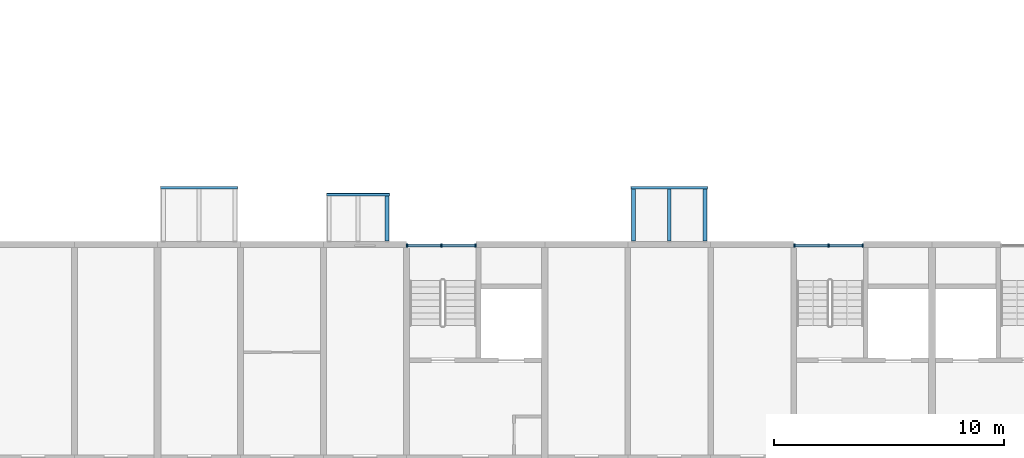
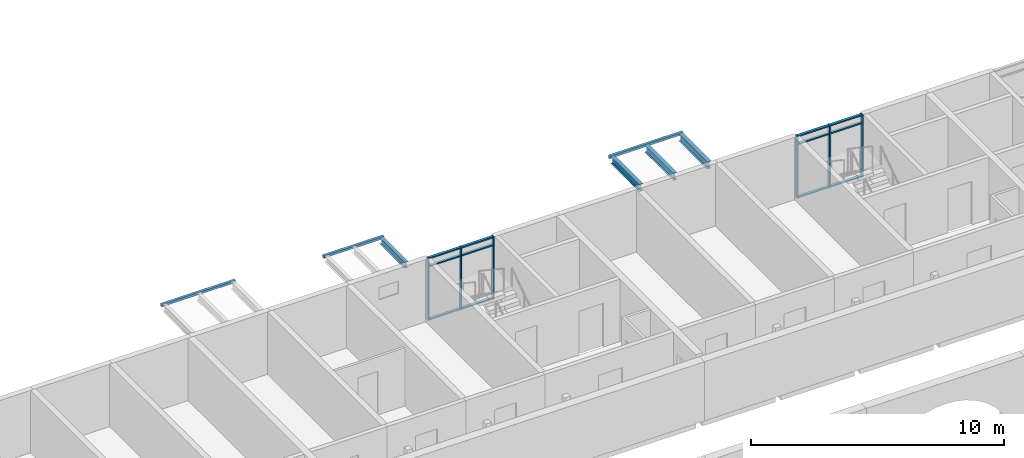
# One storey, part 13 of 122: 18 members, 7 beams, 2 elements without a shape of their own.
"""IFC4 building model written with IfcOpenShell, lengths in metres."""

from ifc_helpers import new_model, si_unit, direction, frame, origin, origin_2d, place, context, subcontext, project, spatial, rectangle, hollow_rectangle, i_section, extrude, material, material_profile, profile_set, type_object, element, aggregate, save


model = new_model("IFC4")

# Units and contexts
model_context = context("Model", 3, precision=1e-05, world=origin(), true_north=direction((0.0, 1.0)))
body_context = subcontext(model_context, "Body", "Model", "MODEL_VIEW")
ifc_project = project(units=[si_unit("LENGTHUNIT", "METRE"), si_unit("AREAUNIT", "SQUARE_METRE"), si_unit("VOLUMEUNIT", "CUBIC_METRE"), si_unit("PLANEANGLEUNIT", "RADIAN"), si_unit("MASSUNIT", "GRAM", prefix="KILO")], contexts=[model_context])

# Site, building, storey
site_placement = place(None, origin())
site = spatial("IfcSite", under=ifc_project, at=site_placement, CompositionType="ELEMENT")
building_placement = place(site_placement, origin())
building = spatial("IfcBuilding", under=site, at=building_placement, Name="Ridgestep Commons", CompositionType="ELEMENT")
storey_placement = place(building_placement, frame((0.0, 0.0, 3.0)))
storey = spatial("IfcBuildingStorey", under=building, at=storey_placement, Name="L01", CompositionType="ELEMENT", Elevation=3.0)

# Curtain wall, members
ifc_material_1 = material(Name="Aluminium 6063-T6 and glass", Category="aluminium")
curtain_wall_type = type_object("IfcCurtainWallType", Name="Curtain wall stair strip", PredefinedType="NOTDEFINED", material=ifc_material_1)
curtain_wall_1_placement = place(storey_placement, origin())
curtain_wall_1 = element("IfcCurtainWall", 1, at=curtain_wall_1_placement, inside=storey, type_object=curtain_wall_type, Name="Curtain wall A4C level 01", PredefinedType="NOTDEFINED")
ifc_material_2 = material(Name="Aluminium 6063-T6", Category="aluminium")
ifc_material_profile_1 = material_profile(ifc_material_2, rectangle(XDim=0.159912109375, YDim=0.06005859375, at=origin_2d()), Name="Mullion 60 x 160")
ifc_profile_set_1 = profile_set([ifc_material_profile_1], Name="Aluminium 6063-T6")
member_type_1 = type_object("IfcMemberType", Name="Mullion 60 x 160", PredefinedType="MULLION", material=ifc_profile_set_1)
member_1_placement = place(storey_placement, frame((73.22998046875, 22.830078125, 0.0), z_axis=(0.0, 0.0, 1.0), x_axis=(0.0, 1.0, 0.0)))
member_1 = element("IfcMember", 2, at=member_1_placement, type_object=member_type_1, Name="CW1 mullion 1", PredefinedType="MULLION", context=body_context, shape_type="SweptSolid", body=[
    extrude(rectangle(XDim=0.159912109375, YDim=0.06005859375, at=origin_2d()), origin(), (0.0, 0.0, 1.0), 3.0),
])
member_2_placement = place(storey_placement, frame((74.71240234375, 22.830078125, 0.0), z_axis=(0.0, 0.0, 1.0), x_axis=(0.0, 1.0, 0.0)))
member_2 = element("IfcMember", 3, at=member_2_placement, type_object=member_type_1, Name="CW1 mullion 2", PredefinedType="MULLION", context=body_context, shape_type="SweptSolid", body=[
    extrude(rectangle(XDim=0.159912109375, YDim=0.06005859375, at=origin_2d()), origin(), (0.0, 0.0, 1.0), 3.0),
])
member_3_placement = place(storey_placement, frame((76.195068359375, 22.830078125, 0.0), z_axis=(0.0, 0.0, 1.0), x_axis=(0.0, 1.0, 0.0)))
member_3 = element("IfcMember", 4, at=member_3_placement, type_object=member_type_1, Name="CW1 mullion 3", PredefinedType="MULLION", context=body_context, shape_type="SweptSolid", body=[
    extrude(rectangle(XDim=0.159912109375, YDim=0.06005859375, at=origin_2d()), origin(), (0.0, 0.0, 1.0), 3.0),
])

curtain_wall_2_placement = place(storey_placement, origin())
curtain_wall_2 = element("IfcCurtainWall", 5, at=curtain_wall_2_placement, inside=storey, type_object=curtain_wall_type, Name="Curtain wall A5C level 01", PredefinedType="NOTDEFINED")
member_4_placement = place(storey_placement, frame((90.030029296875, 22.830078125, 0.0), z_axis=(0.0, 0.0, 1.0), x_axis=(0.0, 1.0, 0.0)))
member_4 = element("IfcMember", 6, at=member_4_placement, type_object=member_type_1, Name="CW1 mullion 1", PredefinedType="MULLION", context=body_context, shape_type="SweptSolid", body=[
    extrude(rectangle(XDim=0.159912109375, YDim=0.06005859375, at=origin_2d()), origin(), (0.0, 0.0, 1.0), 3.0),
])
member_5_placement = place(storey_placement, frame((91.512451171875, 22.830078125, 0.0), z_axis=(0.0, 0.0, 1.0), x_axis=(0.0, 1.0, 0.0)))
member_5 = element("IfcMember", 7, at=member_5_placement, type_object=member_type_1, Name="CW1 mullion 2", PredefinedType="MULLION", context=body_context, shape_type="SweptSolid", body=[
    extrude(rectangle(XDim=0.159912109375, YDim=0.06005859375, at=origin_2d()), origin(), (0.0, 0.0, 1.0), 3.0),
])
member_6_placement = place(storey_placement, frame((92.9951171875, 22.830078125, 0.0), z_axis=(0.0, 0.0, 1.0), x_axis=(0.0, 1.0, 0.0)))
member_6 = element("IfcMember", 8, at=member_6_placement, type_object=member_type_1, Name="CW1 mullion 3", PredefinedType="MULLION", context=body_context, shape_type="SweptSolid", body=[
    extrude(rectangle(XDim=0.159912109375, YDim=0.06005859375, at=origin_2d()), origin(), (0.0, 0.0, 1.0), 3.0),
])

# Member
ifc_material_3 = material(Name="Aluminium 6063-T6", Category="aluminium")
ifc_material_profile_2 = material_profile(ifc_material_3, rectangle(XDim=0.1201171875, YDim=0.06005859375, at=origin_2d()), Name="Transom 60 x 120")
ifc_profile_set_2 = profile_set([ifc_material_profile_2], Name="Aluminium 6063-T6")
member_type_2 = type_object("IfcMemberType", Name="Transom 60 x 120", PredefinedType="USERDEFINED", material=ifc_profile_set_2)
member_7_placement = place(storey_placement, frame((73.260009765625, 22.830078125, 0.030029296875), z_axis=(1.0, 0.0, 0.0), x_axis=(0.0, 1.0, 0.0)))
member_7 = element("IfcMember", 9, at=member_7_placement, type_object=member_type_2, Name="CW1 transom 1.1", ObjectType="TRANSOM", PredefinedType="USERDEFINED", context=body_context, shape_type="SweptSolid", body=[
    extrude(rectangle(XDim=0.1201171875, YDim=0.06005859375, at=origin_2d()), origin(), (0.0, 0.0, 1.0), 1.422607421875),
])

member_8_placement = place(storey_placement, frame((73.260009765625, 22.830078125, 2.590087890625), z_axis=(1.0, 0.0, 0.0), x_axis=(0.0, 1.0, 0.0)))
member_8 = element("IfcMember", 10, at=member_8_placement, type_object=member_type_2, Name="CW1 transom 1.2", ObjectType="TRANSOM", PredefinedType="USERDEFINED", context=body_context, shape_type="SweptSolid", body=[
    extrude(rectangle(XDim=0.1201171875, YDim=0.06005859375, at=origin_2d()), origin(), (0.0, 0.0, 1.0), 1.422607421875),
])

member_9_placement = place(storey_placement, frame((73.260009765625, 22.830078125, 2.969970703125), z_axis=(1.0, 0.0, 0.0), x_axis=(0.0, 1.0, 0.0)))
member_9 = element("IfcMember", 11, at=member_9_placement, type_object=member_type_2, Name="CW1 transom 1.3", ObjectType="TRANSOM", PredefinedType="USERDEFINED", context=body_context, shape_type="SweptSolid", body=[
    extrude(rectangle(XDim=0.1201171875, YDim=0.06005859375, at=origin_2d()), origin(), (0.0, 0.0, 1.0), 1.422607421875),
])

member_10_placement = place(storey_placement, frame((74.742431640625, 22.830078125, 0.030029296875), z_axis=(1.0, 0.0, 0.0), x_axis=(0.0, 1.0, 0.0)))
member_10 = element("IfcMember", 12, at=member_10_placement, type_object=member_type_2, Name="CW1 transom 2.1", ObjectType="TRANSOM", PredefinedType="USERDEFINED", context=body_context, shape_type="SweptSolid", body=[
    extrude(rectangle(XDim=0.1201171875, YDim=0.06005859375, at=origin_2d()), origin(), (0.0, 0.0, 1.0), 1.422607421875),
])

member_11_placement = place(storey_placement, frame((74.742431640625, 22.830078125, 2.590087890625), z_axis=(1.0, 0.0, 0.0), x_axis=(0.0, 1.0, 0.0)))
member_11 = element("IfcMember", 13, at=member_11_placement, type_object=member_type_2, Name="CW1 transom 2.2", ObjectType="TRANSOM", PredefinedType="USERDEFINED", context=body_context, shape_type="SweptSolid", body=[
    extrude(rectangle(XDim=0.1201171875, YDim=0.06005859375, at=origin_2d()), origin(), (0.0, 0.0, 1.0), 1.422607421875),
])

member_12_placement = place(storey_placement, frame((74.742431640625, 22.830078125, 2.969970703125), z_axis=(1.0, 0.0, 0.0), x_axis=(0.0, 1.0, 0.0)))
member_12 = element("IfcMember", 14, at=member_12_placement, type_object=member_type_2, Name="CW1 transom 2.3", ObjectType="TRANSOM", PredefinedType="USERDEFINED", context=body_context, shape_type="SweptSolid", body=[
    extrude(rectangle(XDim=0.1201171875, YDim=0.06005859375, at=origin_2d()), origin(), (0.0, 0.0, 1.0), 1.422607421875),
])

aggregate(curtain_wall_1, [member_1, member_2, member_3, member_7, member_8, member_9, member_10, member_11, member_12])

member_13_placement = place(storey_placement, frame((90.06005859375, 22.830078125, 0.030029296875), z_axis=(1.0, 0.0, 0.0), x_axis=(0.0, 1.0, 0.0)))
member_13 = element("IfcMember", 15, at=member_13_placement, type_object=member_type_2, Name="CW1 transom 1.1", ObjectType="TRANSOM", PredefinedType="USERDEFINED", context=body_context, shape_type="SweptSolid", body=[
    extrude(rectangle(XDim=0.1201171875, YDim=0.06005859375, at=origin_2d()), origin(), (0.0, 0.0, 1.0), 1.42236328125),
])

member_14_placement = place(storey_placement, frame((90.06005859375, 22.830078125, 2.590087890625), z_axis=(1.0, 0.0, 0.0), x_axis=(0.0, 1.0, 0.0)))
member_14 = element("IfcMember", 16, at=member_14_placement, type_object=member_type_2, Name="CW1 transom 1.2", ObjectType="TRANSOM", PredefinedType="USERDEFINED", context=body_context, shape_type="SweptSolid", body=[
    extrude(rectangle(XDim=0.1201171875, YDim=0.06005859375, at=origin_2d()), origin(), (0.0, 0.0, 1.0), 1.42236328125),
])

member_15_placement = place(storey_placement, frame((90.06005859375, 22.830078125, 2.969970703125), z_axis=(1.0, 0.0, 0.0), x_axis=(0.0, 1.0, 0.0)))
member_15 = element("IfcMember", 17, at=member_15_placement, type_object=member_type_2, Name="CW1 transom 1.3", ObjectType="TRANSOM", PredefinedType="USERDEFINED", context=body_context, shape_type="SweptSolid", body=[
    extrude(rectangle(XDim=0.1201171875, YDim=0.06005859375, at=origin_2d()), origin(), (0.0, 0.0, 1.0), 1.42236328125),
])

member_16_placement = place(storey_placement, frame((91.54248046875, 22.830078125, 0.030029296875), z_axis=(1.0, 0.0, 0.0), x_axis=(0.0, 1.0, 0.0)))
member_16 = element("IfcMember", 18, at=member_16_placement, type_object=member_type_2, Name="CW1 transom 2.1", ObjectType="TRANSOM", PredefinedType="USERDEFINED", context=body_context, shape_type="SweptSolid", body=[
    extrude(rectangle(XDim=0.1201171875, YDim=0.06005859375, at=origin_2d()), origin(), (0.0, 0.0, 1.0), 1.422607421875),
])

member_17_placement = place(storey_placement, frame((91.54248046875, 22.830078125, 2.590087890625), z_axis=(1.0, 0.0, 0.0), x_axis=(0.0, 1.0, 0.0)))
member_17 = element("IfcMember", 19, at=member_17_placement, type_object=member_type_2, Name="CW1 transom 2.2", ObjectType="TRANSOM", PredefinedType="USERDEFINED", context=body_context, shape_type="SweptSolid", body=[
    extrude(rectangle(XDim=0.1201171875, YDim=0.06005859375, at=origin_2d()), origin(), (0.0, 0.0, 1.0), 1.422607421875),
])

member_18_placement = place(storey_placement, frame((91.54248046875, 22.830078125, 2.969970703125), z_axis=(1.0, 0.0, 0.0), x_axis=(0.0, 1.0, 0.0)))
member_18 = element("IfcMember", 20, at=member_18_placement, type_object=member_type_2, Name="CW1 transom 2.3", ObjectType="TRANSOM", PredefinedType="USERDEFINED", context=body_context, shape_type="SweptSolid", body=[
    extrude(rectangle(XDim=0.1201171875, YDim=0.06005859375, at=origin_2d()), origin(), (0.0, 0.0, 1.0), 1.422607421875),
])

aggregate(curtain_wall_2, [member_4, member_5, member_6, member_13, member_14, member_15, member_16, member_17, member_18])

# Beams
ifc_material_4 = material(Name="Weathering steel S355J2W", Category="steel")
ifc_material_profile_3 = material_profile(ifc_material_4, i_section(OverallWidth=0.1650390625, OverallDepth=0.303466796875, WebThickness=0.006103515625, FlangeThickness=0.01025390625, FilletRadius=0.0087890625, at=origin_2d()), Name="UB 305x165x40")
ifc_profile_set_3 = profile_set([ifc_material_profile_3], Name="Weathering steel S355J2W")
beam_type_1 = type_object("IfcBeamType", Name="Tray arm UB 305x165x40", PredefinedType="BEAM", material=ifc_profile_set_3)
beam_1_placement = place(storey_placement, frame((72.35009765625, 23.014892578125, 2.83837890625), z_axis=(0.0, 1.0, 0.0), x_axis=(-1.0, 0.0, 0.0)))
element("IfcBeam", 21, at=beam_1_placement, inside=storey, type_object=beam_type_1, Name="Tray arm A4T3-02.3", PredefinedType="BEAM", context=body_context, shape_type="SweptSolid", body=[
    extrude(i_section(OverallWidth=0.1650390625, OverallDepth=0.303466796875, WebThickness=0.006103515625, FlangeThickness=0.01025390625, FilletRadius=0.0087890625, at=origin_2d()), origin(), (0.0, 0.0, 1.0), 1.965087890625),
])
ifc_material_5 = material(Name="Weathering steel S355J2W", Category="steel")
ifc_material_profile_4 = material_profile(ifc_material_5, i_section(OverallWidth=0.171142578125, OverallDepth=0.351318359375, WebThickness=0.007080078125, FlangeThickness=0.009765625, FilletRadius=0.01025390625, at=origin_2d()), Name="UB 356x171x45")
ifc_profile_set_4 = profile_set([ifc_material_profile_4], Name="Weathering steel S355J2W")
beam_type_2 = type_object("IfcBeamType", Name="Tray arm UB 356x171x45", PredefinedType="BEAM", material=ifc_profile_set_4)
for number, where, z_axis, x_axis, name in (
    (22, (83.050048828125, 23.014892578125, 2.814208984375), (0.0, 1.0, 0.0), (-1.0, 0.0, 0.0), "Tray arm A5T2-02.1"),
    (23, (84.60009765625, 23.014892578125, 2.814208984375), (0.0, 1.0, 0.0), (-1.0, 0.0, 0.0), "Tray arm A5T2-02.2"),
    (24, (86.14990234375, 23.014892578125, 2.814208984375), (0.0, 1.0, 0.0), (-1.0, 0.0, 0.0), "Tray arm A5T2-02.3"),
):
    element("IfcBeam", number, at=place(storey_placement, frame(where, z_axis=z_axis, x_axis=x_axis)), inside=storey, type_object=beam_type_2, Name=name, PredefinedType="BEAM", context=body_context, shape_type="SweptSolid", body=[
        extrude(i_section(OverallWidth=0.171142578125, OverallDepth=0.351318359375, WebThickness=0.007080078125, FlangeThickness=0.009765625, FilletRadius=0.01025390625, at=origin_2d()), origin(), (0.0, 0.0, 1.0), 2.26513671875),
    ])
ifc_material_6 = material(Name="Weathering steel S355J2W", Category="steel")
ifc_material_profile_5 = material_profile(ifc_material_6, hollow_rectangle(XDim=0.1201171875, YDim=0.1201171875, WallThickness=0.00634765625, InnerFilletRadius=0.00634765625, OuterFilletRadius=0.009521484375, at=origin_2d()), Name="SHS 120x120x6.3")
ifc_profile_set_5 = profile_set([ifc_material_profile_5], Name="Weathering steel S355J2W")
beam_type_3 = type_object("IfcBeamType", Name="Tray edge member SHS 120x120x6.3", PredefinedType="BEAM", material=ifc_profile_set_5)
for number, where, z_axis, x_axis, name in (
    (25, (82.929931640625, 25.340087890625, 2.929931640625), (1.0, 0.0, 0.0), (0.0, 0.0, 1.0), "Tray edge member A5T2-02"),
    (26, (62.530029296875, 25.340087890625, 2.929931640625), (1.0, 0.0, 0.0), (0.0, 0.0, 1.0), "Tray edge member A4T1-02"),
):
    element("IfcBeam", number, at=place(storey_placement, frame(where, z_axis=z_axis, x_axis=x_axis)), inside=storey, type_object=beam_type_3, Name=name, PredefinedType="BEAM", context=body_context, shape_type="SweptSolid", body=[
        extrude(hollow_rectangle(XDim=0.1201171875, YDim=0.1201171875, WallThickness=0.00634765625, InnerFilletRadius=0.00634765625, OuterFilletRadius=0.009521484375, at=origin_2d()), origin(), (0.0, 0.0, 1.0), 3.340087890625),
    ])
beam_2_placement = place(storey_placement, frame((69.72998046875, 25.0400390625, 2.929931640625), z_axis=(1.0, 0.0, 0.0), x_axis=(0.0, 0.0, 1.0)))
element("IfcBeam", 27, at=beam_2_placement, inside=storey, type_object=beam_type_3, Name="Tray edge member A4T3-02", PredefinedType="BEAM", context=body_context, shape_type="SweptSolid", body=[
    extrude(hollow_rectangle(XDim=0.1201171875, YDim=0.1201171875, WallThickness=0.00634765625, InnerFilletRadius=0.00634765625, OuterFilletRadius=0.009521484375, at=origin_2d()), origin(), (0.0, 0.0, 1.0), 2.739990234375),
])

save(model, "model.ifc")
